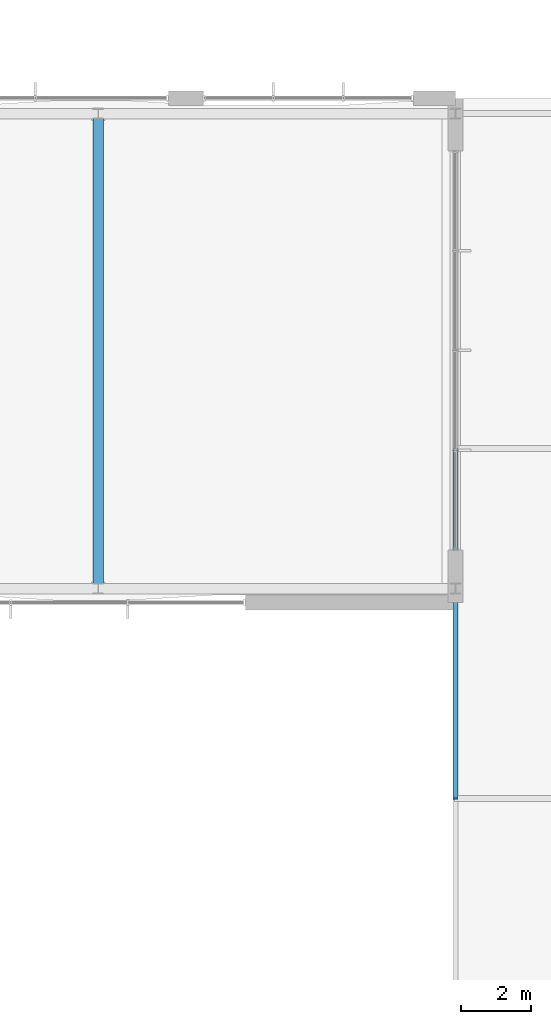
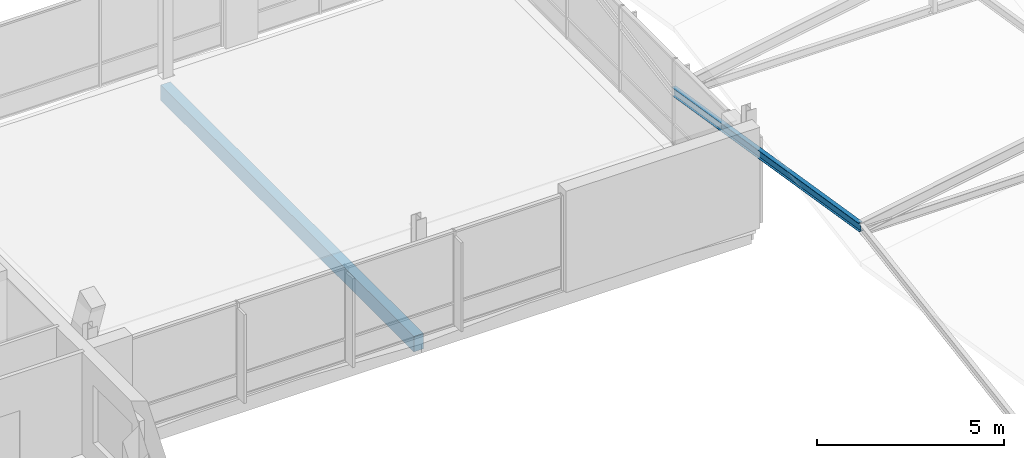
# One storey, part 92 of 189: 1 beam, 1 member.
"""IFC4 building model written with IfcOpenShell, lengths in metres."""

from ifc_helpers import new_model, si_unit, direction, frame, origin, origin_2d, place, context, subcontext, project, spatial, rectangle, i_section, extrude, material, material_profile, profile_set, type_object, element, save


model = new_model("IFC4")

# Units and contexts
model_context = context("Model", 3, precision=1e-05, world=origin(), true_north=direction((0.0, 1.0)))
body_context = subcontext(model_context, "Body", "Model", "MODEL_VIEW")
ifc_project = project(units=[si_unit("LENGTHUNIT", "METRE"), si_unit("AREAUNIT", "SQUARE_METRE"), si_unit("VOLUMEUNIT", "CUBIC_METRE"), si_unit("PLANEANGLEUNIT", "RADIAN"), si_unit("MASSUNIT", "GRAM", prefix="KILO")], contexts=[model_context])

# Site, building, storey
site_placement = place(None, origin())
site = spatial("IfcSite", under=ifc_project, at=site_placement, CompositionType="ELEMENT")
building_placement = place(site_placement, origin())
building = spatial("IfcBuilding", under=site, at=building_placement, Name="Zavelmont Quarter", CompositionType="ELEMENT")
storey_placement = place(building_placement, frame((0.0, 0.0, 4.39990234375)))
storey = spatial("IfcBuildingStorey", under=building, at=storey_placement, Name="L01", CompositionType="ELEMENT", Elevation=4.39990234375)

# Beam
ifc_material_1 = material(Name="Concrete C35/45", Category="concrete")
ifc_material_profile_1 = material_profile(ifc_material_1, rectangle(XDim=0.300048828125, YDim=0.5, at=origin_2d()), Name="RC300X500")
ifc_profile_set_1 = profile_set([ifc_material_profile_1], Name="Concrete C35/45")
beam_type = type_object("IfcBeamType", Name="BM03", PredefinedType="BEAM", material=ifc_profile_set_1)
beam_placement = place(storey_placement, frame((65.800048828125, 102.0, -0.52978515625), z_axis=(0.0, 1.0, 0.0), x_axis=(-1.0, 0.0, 0.0)))
element("IfcBeam", 1, at=beam_placement, inside=storey, type_object=beam_type, Name="L01 beam BM03 10/Q to 10/S", PredefinedType="BEAM", context=body_context, shape_type="SweptSolid", body=[
    extrude(rectangle(XDim=0.300048828125, YDim=0.5, at=origin_2d()), origin(), (0.0, 0.0, 1.0), 13.56005859375),
])

# Member
ifc_material_2 = material(Name="Steel S355", Category="steel")
ifc_material_profile_2 = material_profile(ifc_material_2, i_section(OverallWidth=0.135009765625, OverallDepth=0.27001953125, WebThickness=0.006591796875, FlangeThickness=0.01025390625, at=origin_2d()), Name="IPE 270")
ifc_profile_set_2 = profile_set([ifc_material_profile_2], Name="Steel S355")
member_type = type_object("IfcMemberType", Name="PR01", PredefinedType="PURLIN", material=ifc_profile_set_2)
member_placement = place(storey_placement, frame((76.0, 96.0, 3.320068359375), z_axis=(0.0, 0.987132736639, -0.159902971377), x_axis=(-1.0, 0.0, 0.0)))
element("IfcMember", 2, at=member_placement, inside=storey, type_object=member_type, Name="L01 member PR01 12/P to 12/Q", PredefinedType="PURLIN", context=body_context, shape_type="SweptSolid", body=[
    extrude(i_section(OverallWidth=0.135009765625, OverallDepth=0.27001953125, WebThickness=0.006591796875, FlangeThickness=0.01025390625, at=origin_2d()), origin(), (0.0, 0.0, 1.0), 10.13037109375),
])

save(model, "model.ifc")
